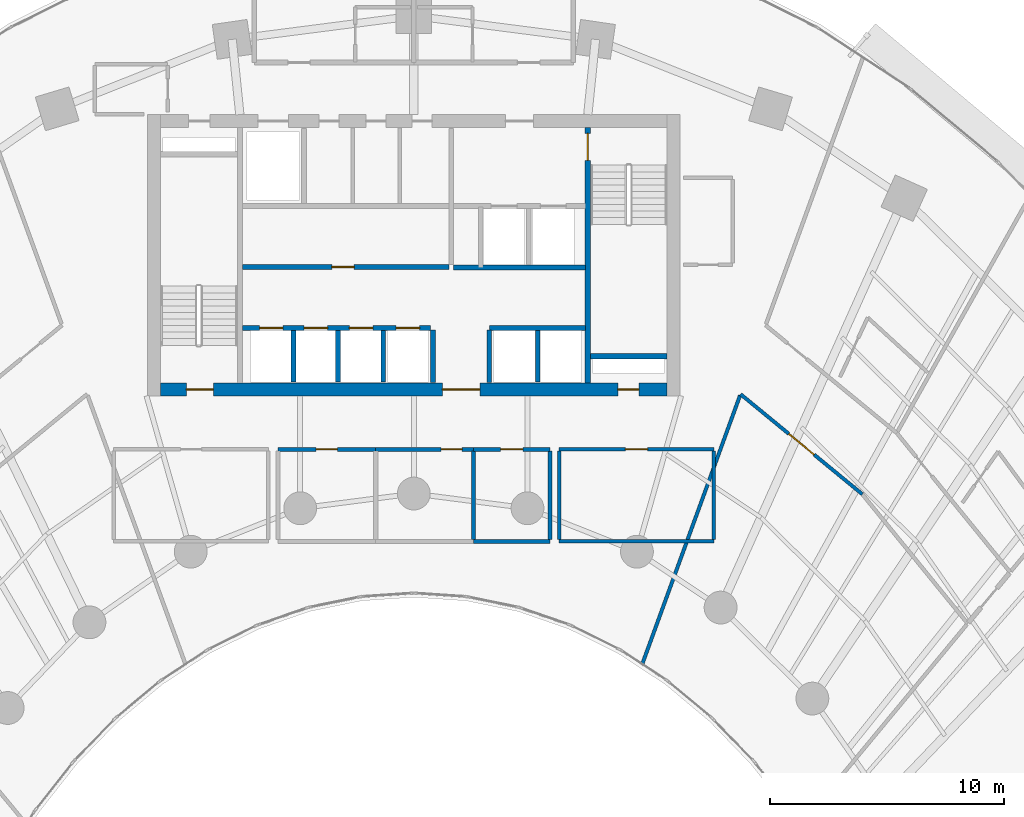
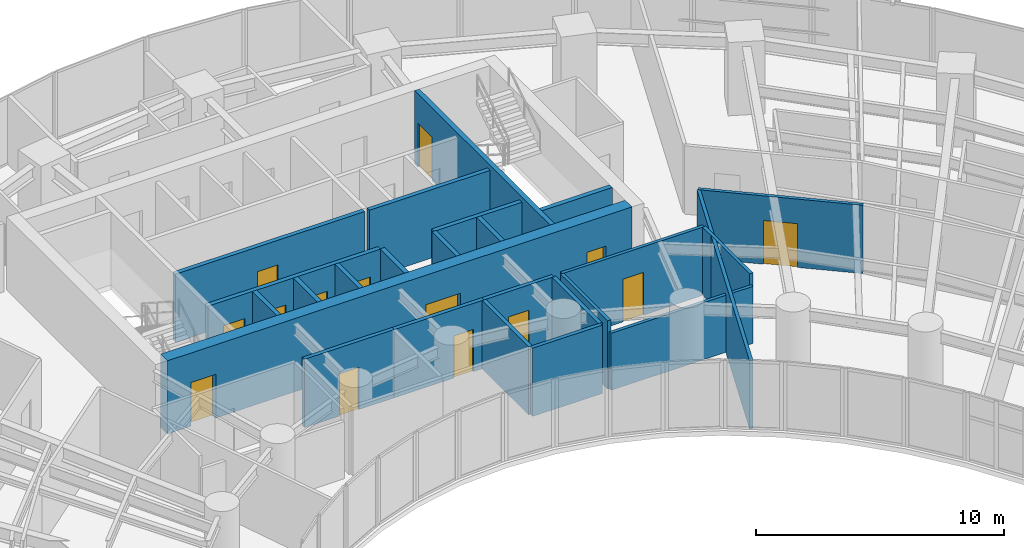
# One storey, part 12 of 17: 25 walls, 14 doors, 14 openings.
"""IFC4 building model written with IfcOpenShell, lengths in metres."""

from ifc_helpers import new_model, si_unit, direction, frame, frame_2d, origin, place, context, subcontext, project, spatial, rectangle, extrude, source, transform, mapped, material, layer, layer_set, type_object, type_shapes, element, fill, save


model = new_model("IFC4")

# Units and contexts
model_context = context("Model", 3, precision=1e-05, world=origin(), true_north=direction((0.0, 1.0)))
body_context = subcontext(model_context, "Body", "Model", "MODEL_VIEW")
ifc_project = project(units=[si_unit("LENGTHUNIT", "METRE"), si_unit("AREAUNIT", "SQUARE_METRE"), si_unit("VOLUMEUNIT", "CUBIC_METRE"), si_unit("PLANEANGLEUNIT", "RADIAN"), si_unit("MASSUNIT", "GRAM", prefix="KILO")], contexts=[model_context])

# Site, building, storey
site_placement = place(None, origin())
site = spatial("IfcSite", under=ifc_project, at=site_placement, CompositionType="ELEMENT")
building_placement = place(site_placement, origin())
building = spatial("IfcBuilding", under=site, at=building_placement, Name="Breltana Convention Tower", CompositionType="ELEMENT")
storey_placement = place(building_placement, frame((0.0, 0.0, 53.39990234375)))
storey = spatial("IfcBuildingStorey", under=building, at=storey_placement, Name="L11", CompositionType="ELEMENT", Elevation=53.39990234375)

# Wall, openings, doors
ifc_material_1 = material(Name="Concrete C60/75", Category="concrete")
ifc_layer_1 = layer(ifc_material_1, 0.550048828125, Name="Concrete C60/75")
ifc_layer_set_1 = layer_set([ifc_layer_1], Name="Concrete C60/75")
wall_type_1 = type_object("IfcWallType", Name="SW-CORE-550", PredefinedType="SHEAR", material=ifc_layer_set_1)
shared_shape_1 = source(origin(), body_context, "Body", "SweptSolid", [
    extrude(rectangle(XDim=21.60009765625, YDim=0.550048828125, at=frame_2d((10.800048828125, 0.0))), origin(), (0.0, 0.0, 1.0), 3.60009765625),
])
wall_1_placement = place(storey_placement, frame((37.199951171875, 60.47509765625, 0.0), z_axis=(0.0, 0.0, 1.0), x_axis=(1.0, 0.0, 0.0)))
wall_1 = element("IfcWall", 1, at=wall_1_placement, inside=storey, type_object=wall_type_1, Name="L11 South Core Shear Wall", PredefinedType="SHEAR", context=body_context, shape_type="MappedRepresentation", body=[
    mapped(shared_shape_1, transform((0.0, 0.0, 0.0), scale=1.0)),
])
opening_1_placement = place(wall_1_placement, frame((1.10009765625, 0.0, 0.0)))
opening_1 = element("IfcOpeningElement", 2, at=opening_1_placement, cuts=wall_1, Name="Opening D-11", PredefinedType="OPENING", context=body_context, shape_type="SweptSolid", body=[
    extrude(rectangle(XDim=1.14990234375, YDim=2.14990234375, at=frame_2d((0.574951171875, 1.074951171875))), frame((0.0, 0.28515625, 0.0), z_axis=(0.0, -1.0, 0.0), x_axis=(1.0, 0.0, 0.0)), (0.0, 0.0, 1.0), 0.570068359375),
])
opening_2_placement = place(wall_1_placement, frame((19.5, 0.0, 0.0)))
opening_2 = element("IfcOpeningElement", 3, at=opening_2_placement, cuts=wall_1, Name="Opening D-18", PredefinedType="OPENING", context=body_context, shape_type="SweptSolid", body=[
    extrude(rectangle(XDim=0.89990234375, YDim=2.10009765625, at=frame_2d((0.449951171875, 1.050048828125))), frame((0.0, 0.28515625, 0.0), z_axis=(0.0, -1.0, 0.0), x_axis=(1.0, 0.0, 0.0)), (0.0, 0.0, 1.0), 0.570068359375),
])
opening_3_placement = place(wall_1_placement, frame((12.02001953125, 0.0, 0.0)))
opening_3 = element("IfcOpeningElement", 4, at=opening_3_placement, cuts=wall_1, Name="Opening D-02", PredefinedType="OPENING", context=body_context, shape_type="SweptSolid", body=[
    extrude(rectangle(XDim=1.60009765625, YDim=2.14990234375, at=frame_2d((0.800048828125, 1.074951171875))), frame((0.0, 0.28515625, 0.0), z_axis=(0.0, -1.0, 0.0), x_axis=(1.0, 0.0, 0.0)), (0.0, 0.0, 1.0), 0.570068359375),
])
ifc_material_2 = material(Name="Steel Stair Exit Door", Category="steel")
door_type_1 = type_object("IfcDoorType", Name="DR-FD120-1150", OperationType="NOTDEFINED", PredefinedType="DOOR", material=ifc_material_2)
shared_shape_2 = source(origin(), body_context, "Body", "SweptSolid", [
    extrude(rectangle(XDim=1.14990234375, YDim=2.14990234375, at=frame_2d((0.574951171875, 1.074951171875))), frame((0.0, 0.02490234375, 0.0), z_axis=(0.0, -1.0, 0.0), x_axis=(1.0, 0.0, 0.0)), (0.0, 0.0, 1.0), 0.050048828125),
])
type_shapes(door_type_1, [shared_shape_2])
door_1_placement = place(opening_1_placement, origin())
door_1 = element("IfcDoor", 5, at=door_1_placement, inside=storey, type_object=door_type_1, Name="L11 interior door D-L11-ST1", OperationType="SINGLE_SWING_LEFT", OverallHeight=2.14990234375, OverallWidth=1.14990234375, PredefinedType="DOOR", context=body_context, shape_type="MappedRepresentation", body=[
    mapped(shared_shape_2, transform((0.0, 0.0, 0.0), scale=1.0)),
])
fill(opening_1, door_1)
ifc_material_3 = material(Name="Steel Riser Fire Door", Category="steel")
door_type_2 = type_object("IfcDoorType", Name="DR-FD60-900", OperationType="NOTDEFINED", PredefinedType="DOOR", material=ifc_material_3)
shared_shape_3 = source(origin(), body_context, "Body", "SweptSolid", [
    extrude(rectangle(XDim=0.89990234375, YDim=2.10009765625, at=frame_2d((0.449951171875, 1.050048828125))), frame((0.0, 0.02490234375, 0.0), z_axis=(0.0, -1.0, 0.0), x_axis=(1.0, 0.0, 0.0)), (0.0, 0.0, 1.0), 0.050048828125),
])
type_shapes(door_type_2, [shared_shape_3])
door_2_placement = place(opening_2_placement, origin())
door_2 = element("IfcDoor", 6, at=door_2_placement, inside=storey, type_object=door_type_2, Name="L11 Core Riser Access Door D-L11-RS2", OperationType="SINGLE_SWING_RIGHT", OverallHeight=2.10009765625, OverallWidth=0.89990234375, PredefinedType="DOOR", context=body_context, shape_type="MappedRepresentation", body=[
    mapped(shared_shape_3, transform((0.0, 0.0, 0.0), scale=1.0)),
])
fill(opening_2, door_2)
ifc_material_4 = material(Name="Steel Glazed Smoke-Control Door", Category="steel")
door_type_3 = type_object("IfcDoorType", Name="DR-DBL-FD90-1600", OperationType="DOUBLE_DOOR_SINGLE_SWING", PredefinedType="DOOR", material=ifc_material_4)
shared_shape_4 = source(origin(), body_context, "Body", "SweptSolid", [
    extrude(rectangle(XDim=1.60009765625, YDim=2.14990234375, at=frame_2d((0.800048828125, 1.074951171875))), frame((0.0, 0.02490234375, 0.0), z_axis=(0.0, -1.0, 0.0), x_axis=(1.0, 0.0, 0.0)), (0.0, 0.0, 1.0), 0.050048828125),
])
type_shapes(door_type_3, [shared_shape_4])
door_3_placement = place(opening_3_placement, origin())
door_3 = element("IfcDoor", 7, at=door_3_placement, inside=storey, type_object=door_type_3, Name="L11 interior door D-L11-LLB-S", OperationType="DOUBLE_DOOR_SINGLE_SWING", OverallHeight=2.14990234375, OverallWidth=1.60009765625, PredefinedType="DOOR", context=body_context, shape_type="MappedRepresentation", body=[
    mapped(shared_shape_4, transform((0.0, 0.0, 0.0), scale=1.0)),
])
fill(opening_3, door_3)

# Wall
ifc_material_5 = material(Name="Concrete C50/60", Category="concrete")
ifc_layer_2 = layer(ifc_material_5, 0.39990234375, Name="Concrete C50/60")
ifc_layer_set_2 = layer_set([ifc_layer_2], Name="Concrete C50/60")
wall_type_2 = type_object("IfcWallType", Name="SW-CORE-400", PredefinedType="SHEAR", material=ifc_layer_set_2)
shared_shape_5 = source(origin(), body_context, "Body", "SweptSolid", [
    extrude(rectangle(XDim=3.27001953125, YDim=0.219970703125, at=frame_2d((1.635009765625, 0.0))), origin(), (0.0, 0.0, 1.0), 3.60009765625),
])
wall_2_placement = place(storey_placement, frame((55.530029296875, 61.889892578125, 0.0), z_axis=(0.0, 0.0, 1.0), x_axis=(1.0, 0.0, 0.0)))
element("IfcWall", 8, at=wall_2_placement, inside=storey, type_object=wall_type_2, Name="L11 ST-2 Stairwell South Bearing Wall", PredefinedType="SHEAR", context=body_context, shape_type="MappedRepresentation", body=[
    mapped(shared_shape_5, transform((0.0, 0.0, 0.0), scale=1.0)),
])

# Wall, opening, door
shared_shape_6 = source(origin(), body_context, "Body", "SweptSolid", [
    extrude(rectangle(XDim=10.89990234375, YDim=0.219970703125, at=frame_2d((5.449951171875, 0.0))), origin(), (0.0, 0.0, 1.0), 3.60009765625),
])
wall_3_placement = place(storey_placement, frame((55.419921875, 60.75, 0.0), z_axis=(0.0, 0.0, 1.0), x_axis=(0.0, 1.0, 0.0)))
wall_3 = element("IfcWall", 9, at=wall_3_placement, inside=storey, type_object=wall_type_2, Name="L11 Core East Stair Spine Wall", PredefinedType="SHEAR", context=body_context, shape_type="MappedRepresentation", body=[
    mapped(shared_shape_6, transform((0.0, 0.0, 0.0), scale=1.0)),
])
opening_4_placement = place(wall_3_placement, frame((9.4951171875, 0.0, 0.0)))
opening_4 = element("IfcOpeningElement", 10, at=opening_4_placement, cuts=wall_3, Name="Opening D-11", PredefinedType="OPENING", context=body_context, shape_type="SweptSolid", body=[
    extrude(rectangle(XDim=1.14990234375, YDim=2.14990234375, at=frame_2d((0.574951171875, 1.074951171875))), frame((0.0, 0.1201171875, 0.0), z_axis=(0.0, -1.0, 0.0), x_axis=(1.0, 0.0, 0.0)), (0.0, 0.0, 1.0), 0.239990234375),
])
door_4_placement = place(opening_4_placement, origin())
door_4 = element("IfcDoor", 11, at=door_4_placement, inside=storey, type_object=door_type_1, Name="L11 interior door D-L11-ST2", OperationType="SINGLE_SWING_LEFT", OverallHeight=2.14990234375, OverallWidth=1.14990234375, PredefinedType="DOOR", context=body_context, shape_type="MappedRepresentation", body=[
    mapped(shared_shape_2, transform((0.0, 0.0, 0.0), scale=1.0)),
])
fill(opening_4, door_4)

# Walls
ifc_material_6 = material(Name="Autoclaved Aerated Concrete Block", Category="concrete")
ifc_layer_3 = layer(ifc_material_6, 0.199951171875, Name="Autoclaved Aerated Concrete Block")
ifc_layer_set_3 = layer_set([ifc_layer_3], Name="Autoclaved Aerated Concrete Block")
wall_type_3 = type_object("IfcWallType", Name="WL-SHAFT-200", PredefinedType="SOLIDWALL", material=ifc_layer_set_3)
shared_shape_7 = source(origin(), body_context, "Body", "SweptSolid", [
    extrude(rectangle(XDim=2.239990234375, YDim=0.199951171875, at=frame_2d((1.1201171875, 0.0))), origin(), (0.0, 0.0, 1.0), 3.360107421875),
])
for number, where, z_axis, x_axis, name in (
    (12, (48.820068359375, 60.780029296875, 0.0), (0.0, 0.0, 1.0), (0.0, 1.0, 0.0), "L11 interior partition W-L11-PORT-W"),
    (13, (51.219970703125, 60.780029296875, 0.0), (0.0, 0.0, 1.0), (0.0, 1.0, 0.0), "L11 interior partition W-L11-PORT-E"),
):
    element("IfcWall", number, at=place(storey_placement, frame(where, z_axis=z_axis, x_axis=x_axis)), inside=storey, type_object=wall_type_3, Name=name, PredefinedType="SOLIDWALL", context=body_context, shape_type="MappedRepresentation", body=[
        mapped(shared_shape_7, transform((0.0, 0.0, 0.0), scale=1.0)),
    ])
shared_shape_8 = source(origin(), body_context, "Body", "SweptSolid", [
    extrude(rectangle(XDim=5.6201171875, YDim=0.199951171875, at=frame_2d((2.81005859375, 0.0))), origin(), (0.0, 0.0, 1.0), 3.360107421875),
])
wall_4_placement = place(storey_placement, frame((49.699951171875, 65.679931640625, 0.0), z_axis=(0.0, 0.0, 1.0), x_axis=(1.0, 0.0, 0.0)))
element("IfcWall", 14, at=wall_4_placement, inside=storey, type_object=wall_type_3, Name="L11 interior partition W-L11-FL-S", PredefinedType="SOLIDWALL", context=body_context, shape_type="MappedRepresentation", body=[
    mapped(shared_shape_8, transform((0.0, 0.0, 0.0), scale=1.0)),
])

# Wall, opening, door
shared_shape_9 = source(origin(), body_context, "Body", "SweptSolid", [
    extrude(rectangle(XDim=8.800048828125, YDim=0.199951171875, at=frame_2d((4.39990234375, 0.0))), origin(), (0.0, 0.0, 1.0), 3.360107421875),
])
wall_5_placement = place(storey_placement, frame((40.699951171875, 65.699951171875, 0.0), z_axis=(0.0, 0.0, 1.0), x_axis=(1.0, 0.0, 0.0)))
wall_5 = element("IfcWall", 15, at=wall_5_placement, inside=storey, type_object=wall_type_3, Name="L11 interior partition W-L11-SH-M-FRONT", PredefinedType="SOLIDWALL", context=body_context, shape_type="MappedRepresentation", body=[
    mapped(shared_shape_9, transform((0.0, 0.0, 0.0), scale=1.0)),
])
opening_5_placement = place(wall_5_placement, frame((3.800048828125, 0.0, 0.0)))
opening_5 = element("IfcOpeningElement", 16, at=opening_5_placement, cuts=wall_5, Name="Opening D-14", PredefinedType="OPENING", context=body_context, shape_type="SweptSolid", body=[
    extrude(rectangle(XDim=0.949951171875, YDim=2.14990234375, at=frame_2d((0.47509765625, 1.074951171875))), frame((0.0, 0.10986328125, 0.0), z_axis=(0.0, -1.0, 0.0), x_axis=(1.0, 0.0, 0.0)), (0.0, 0.0, 1.0), 0.219970703125),
])
ifc_material_7 = material(Name="Timber Solid-Core Fire Door", Category="wood")
door_type_4 = type_object("IfcDoorType", Name="DR-FD60-950", OperationType="NOTDEFINED", PredefinedType="DOOR", material=ifc_material_7)
shared_shape_10 = source(origin(), body_context, "Body", "SweptSolid", [
    extrude(rectangle(XDim=0.949951171875, YDim=2.14990234375, at=frame_2d((0.47509765625, 1.074951171875))), frame((0.0, 0.02490234375, 0.0), z_axis=(0.0, -1.0, 0.0), x_axis=(1.0, 0.0, 0.0)), (0.0, 0.0, 1.0), 0.050048828125),
])
type_shapes(door_type_4, [shared_shape_10])
door_5_placement = place(opening_5_placement, origin())
door_5 = element("IfcDoor", 17, at=door_5_placement, inside=storey, type_object=door_type_4, Name="L11 interior door D-L11-LV7-B2A", OperationType="SINGLE_SWING_RIGHT", OverallHeight=2.14990234375, OverallWidth=0.949951171875, PredefinedType="DOOR", context=body_context, shape_type="MappedRepresentation", body=[
    mapped(shared_shape_10, transform((0.0, 0.0, 0.0), scale=1.0)),
])
fill(opening_5, door_5)

# Wall, openings, doors
shared_shape_11 = source(origin(), body_context, "Body", "SweptSolid", [
    extrude(rectangle(XDim=8.02001953125, YDim=0.199951171875, at=frame_2d((4.010009765625, 0.0))), origin(), (0.0, 0.0, 1.0), 3.360107421875),
])
wall_6_placement = place(storey_placement, frame((40.699951171875, 63.10009765625, 0.0), z_axis=(0.0, 0.0, 1.0), x_axis=(1.0, 0.0, 0.0)))
wall_6 = element("IfcWall", 18, at=wall_6_placement, inside=storey, type_object=wall_type_3, Name="L11 interior partition W-L11-SH-S-FRONT", PredefinedType="SOLIDWALL", context=body_context, shape_type="MappedRepresentation", body=[
    mapped(shared_shape_11, transform((0.0, 0.0, 0.0), scale=1.0)),
])
opening_6_placement = place(wall_6_placement, frame((0.719970703125, 0.0, 0.0)))
opening_6 = element("IfcOpeningElement", 19, at=opening_6_placement, cuts=wall_6, Name="Opening LD-04", PredefinedType="OPENING", context=body_context, shape_type="SweptSolid", body=[
    extrude(rectangle(XDim=1.0, YDim=2.14990234375, at=frame_2d((0.5, 1.074951171875))), frame((0.0, 0.10986328125, 0.0), z_axis=(0.0, -1.0, 0.0), x_axis=(1.0, 0.0, 0.0)), (0.0, 0.0, 1.0), 0.219970703125),
])
opening_7_placement = place(wall_6_placement, frame((2.6201171875, 0.0, 0.0)))
opening_7 = element("IfcOpeningElement", 20, at=opening_7_placement, cuts=wall_6, Name="Opening LD-04", PredefinedType="OPENING", context=body_context, shape_type="SweptSolid", body=[
    extrude(rectangle(XDim=1.0, YDim=2.14990234375, at=frame_2d((0.5, 1.074951171875))), frame((0.0, 0.10986328125, 0.0), z_axis=(0.0, -1.0, 0.0), x_axis=(1.0, 0.0, 0.0)), (0.0, 0.0, 1.0), 0.219970703125),
])
opening_8_placement = place(wall_6_placement, frame((4.550048828125, 0.0, 0.0)))
opening_8 = element("IfcOpeningElement", 21, at=opening_8_placement, cuts=wall_6, Name="Opening LD-04", PredefinedType="OPENING", context=body_context, shape_type="SweptSolid", body=[
    extrude(rectangle(XDim=1.0, YDim=2.14990234375, at=frame_2d((0.5, 1.074951171875))), frame((0.0, 0.10986328125, 0.0), z_axis=(0.0, -1.0, 0.0), x_axis=(1.0, 0.0, 0.0)), (0.0, 0.0, 1.0), 0.219970703125),
])
opening_9_placement = place(wall_6_placement, frame((6.550048828125, 0.0, 0.0)))
opening_9 = element("IfcOpeningElement", 22, at=opening_9_placement, cuts=wall_6, Name="Opening LD-04", PredefinedType="OPENING", context=body_context, shape_type="SweptSolid", body=[
    extrude(rectangle(XDim=1.0, YDim=2.14990234375, at=frame_2d((0.5, 1.074951171875))), frame((0.0, 0.10986328125, 0.0), z_axis=(0.0, -1.0, 0.0), x_axis=(1.0, 0.0, 0.0)), (0.0, 0.0, 1.0), 0.219970703125),
])
ifc_material_8 = material(Name="Stainless Steel Brushed", Category="steel")
door_type_5 = type_object("IfcDoorType", Name="DR-LD-PAX-1000", OperationType="DOUBLE_DOOR_SLIDING", PredefinedType="DOOR", material=ifc_material_8)
shared_shape_12 = source(origin(), body_context, "Body", "SweptSolid", [
    extrude(rectangle(XDim=1.0, YDim=2.14990234375, at=frame_2d((0.5, 1.074951171875))), frame((0.0, 0.02490234375, 0.0), z_axis=(0.0, -1.0, 0.0), x_axis=(1.0, 0.0, 0.0)), (0.0, 0.0, 1.0), 0.050048828125),
])
type_shapes(door_type_5, [shared_shape_12])
door_6_placement = place(opening_6_placement, origin())
door_6 = element("IfcDoor", 23, at=door_6_placement, inside=storey, type_object=door_type_5, Name="L11 Lift Landing Door D-L11-LD-S1", OperationType="DOUBLE_DOOR_SLIDING", OverallHeight=2.14990234375, OverallWidth=1.0, PredefinedType="DOOR", context=body_context, shape_type="MappedRepresentation", body=[
    mapped(shared_shape_12, transform((0.0, 0.0, 0.0), scale=1.0)),
])
fill(opening_6, door_6)
door_7_placement = place(opening_7_placement, origin())
door_7 = element("IfcDoor", 24, at=door_7_placement, inside=storey, type_object=door_type_5, Name="L11 Lift Landing Door D-L11-LD-S2", OperationType="DOUBLE_DOOR_SLIDING", OverallHeight=2.14990234375, OverallWidth=1.0, PredefinedType="DOOR", context=body_context, shape_type="MappedRepresentation", body=[
    mapped(shared_shape_12, transform((0.0, 0.0, 0.0), scale=1.0)),
])
fill(opening_7, door_7)
door_8_placement = place(opening_8_placement, origin())
door_8 = element("IfcDoor", 25, at=door_8_placement, inside=storey, type_object=door_type_5, Name="L11 Lift Landing Door D-L11-LD-S3", OperationType="DOUBLE_DOOR_SLIDING", OverallHeight=2.14990234375, OverallWidth=1.0, PredefinedType="DOOR", context=body_context, shape_type="MappedRepresentation", body=[
    mapped(shared_shape_12, transform((0.0, 0.0, 0.0), scale=1.0)),
])
fill(opening_8, door_8)
door_9_placement = place(opening_9_placement, origin())
door_9 = element("IfcDoor", 26, at=door_9_placement, inside=storey, type_object=door_type_5, Name="L11 Lift Landing Door D-L11-LD-S4", OperationType="DOUBLE_DOOR_SLIDING", OverallHeight=2.14990234375, OverallWidth=1.0, PredefinedType="DOOR", context=body_context, shape_type="MappedRepresentation", body=[
    mapped(shared_shape_12, transform((0.0, 0.0, 0.0), scale=1.0)),
])
fill(opening_9, door_9)

# Walls
shared_shape_13 = source(origin(), body_context, "Body", "SweptSolid", [
    extrude(rectangle(XDim=4.10009765625, YDim=0.199951171875, at=frame_2d((2.050048828125, 0.0))), origin(), (0.0, 0.0, 1.0), 3.360107421875),
])
wall_7_placement = place(storey_placement, frame((51.219970703125, 63.10009765625, 0.0), z_axis=(0.0, 0.0, 1.0), x_axis=(1.0, 0.0, 0.0)))
element("IfcWall", 27, at=wall_7_placement, inside=storey, type_object=wall_type_3, Name="L11 interior partition W-L11-SH-X-FRONT", PredefinedType="SOLIDWALL", context=body_context, shape_type="MappedRepresentation", body=[
    mapped(shared_shape_13, transform((0.0, 0.0, 0.0), scale=1.0)),
])
shared_shape_14 = source(origin(), body_context, "Body", "SweptSolid", [
    extrude(rectangle(XDim=2.199951171875, YDim=0.199951171875, at=frame_2d((1.10009765625, 0.0))), origin(), (0.0, 0.0, 1.0), 3.360107421875),
])
for number, where, z_axis, x_axis, name in (
    (28, (42.8701171875, 60.800048828125, 0.0), (0.0, 0.0, 1.0), (0.0, 1.0, 0.0), "L11 interior partition W-L11-SH-S-DIV1"),
    (29, (44.77001953125, 60.800048828125, 0.0), (0.0, 0.0, 1.0), (0.0, 1.0, 0.0), "L11 interior partition W-L11-SH-S-DIV2"),
    (30, (46.699951171875, 60.800048828125, 0.0), (0.0, 0.0, 1.0), (0.0, 1.0, 0.0), "L11 interior partition W-L11-SH-S-DIV3"),
    (31, (53.280029296875, 60.800048828125, 0.0), (0.0, 0.0, 1.0), (0.0, 1.0, 0.0), "L11 interior partition W-L11-SH-X-DIV"),
):
    element("IfcWall", number, at=place(storey_placement, frame(where, z_axis=z_axis, x_axis=x_axis)), inside=storey, type_object=wall_type_3, Name=name, PredefinedType="SOLIDWALL", context=body_context, shape_type="MappedRepresentation", body=[
        mapped(shared_shape_14, transform((0.0, 0.0, 0.0), scale=1.0)),
    ])
ifc_material_9 = material(Name="Gypsum Acoustic Drywall Partition")
ifc_layer_4 = layer(ifc_material_9, 0.14990234375, Name="Gypsum Acoustic Drywall Partition")
ifc_layer_set_4 = layer_set([ifc_layer_4], Name="Gypsum Acoustic Drywall Partition")
wall_type_4 = type_object("IfcWallType", Name="WL-PART-150", PredefinedType="PARTITIONING", material=ifc_layer_set_4)
shared_shape_15 = source(origin(), body_context, "Body", "SweptSolid", [
    extrude(rectangle(XDim=6.60009765625, YDim=0.14990234375, at=frame_2d((3.300048828125, 0.0))), origin(), (0.0, 0.0, 1.0), 2.802978515625),
])
wall_8_placement = place(storey_placement, frame((54.199951171875, 54.0, 0.0), z_axis=(0.0, 0.0, 1.0), x_axis=(1.0, 0.0, 0.0)))
element("IfcWall", 32, at=wall_8_placement, inside=storey, type_object=wall_type_4, Name="L11 interior partition W-L11-HMT-S", PredefinedType="PARTITIONING", context=body_context, shape_type="MappedRepresentation", body=[
    mapped(shared_shape_15, transform((0.0, 0.0, 0.0), scale=1.0)),
])

# Wall, opening, door
shared_shape_16 = source(origin(), body_context, "Body", "SweptSolid", [
    extrude(rectangle(XDim=6.60009765625, YDim=0.14990234375, at=frame_2d((3.300048828125, 0.0))), origin(), (0.0, 0.0, 1.0), 3.360107421875),
])
wall_9_placement = place(storey_placement, frame((54.199951171875, 57.919921875, 0.0), z_axis=(0.0, 0.0, 1.0), x_axis=(1.0, 0.0, 0.0)))
wall_9 = element("IfcWall", 33, at=wall_9_placement, inside=storey, type_object=wall_type_4, Name="L11 interior partition W-L11-HMT-N", PredefinedType="PARTITIONING", context=body_context, shape_type="MappedRepresentation", body=[
    mapped(shared_shape_16, transform((0.0, 0.0, 0.0), scale=1.0)),
])
opening_10_placement = place(wall_9_placement, frame((2.824951171875, 0.0, 0.0)))
opening_10 = element("IfcOpeningElement", 34, at=opening_10_placement, cuts=wall_9, Name="Opening D-17", PredefinedType="OPENING", context=body_context, shape_type="SweptSolid", body=[
    extrude(rectangle(XDim=0.949951171875, YDim=2.10009765625, at=frame_2d((0.47509765625, 1.050048828125))), frame((0.0, 0.0849609375, 0.0), z_axis=(0.0, -1.0, 0.0), x_axis=(1.0, 0.0, 0.0)), (0.0, 0.0, 1.0), 0.169921875),
])
ifc_material_10 = material(Name="Timber Oak Veneer Door", Category="wood")
door_type_6 = type_object("IfcDoorType", Name="DR-INT-950", OperationType="NOTDEFINED", PredefinedType="DOOR", material=ifc_material_10)
shared_shape_17 = source(origin(), body_context, "Body", "SweptSolid", [
    extrude(rectangle(XDim=0.949951171875, YDim=2.10009765625, at=frame_2d((0.47509765625, 1.050048828125))), frame((0.0, 0.02490234375, 0.0), z_axis=(0.0, -1.0, 0.0), x_axis=(1.0, 0.0, 0.0)), (0.0, 0.0, 1.0), 0.050048828125),
])
type_shapes(door_type_6, [shared_shape_17])
door_10_placement = place(opening_10_placement, origin())
door_10 = element("IfcDoor", 35, at=door_10_placement, inside=storey, type_object=door_type_6, Name="L11 interior door D-L11-HMT", OperationType="SINGLE_SWING_LEFT", OverallHeight=2.10009765625, OverallWidth=0.949951171875, PredefinedType="DOOR", context=body_context, shape_type="MappedRepresentation", body=[
    mapped(shared_shape_17, transform((0.0, 0.0, 0.0), scale=1.0)),
])
fill(opening_10, door_10)

# Walls
shared_shape_18 = source(origin(), body_context, "Body", "SweptSolid", [
    extrude(rectangle(XDim=3.78515625, YDim=0.14990234375, at=frame_2d((1.892578125, 0.0))), origin(), (0.0, 0.0, 1.0), 3.360107421875),
])
for number, where, z_axis, x_axis, name in (
    (36, (54.199951171875, 54.0673828125, 0.0), (0.0, 0.0, 1.0), (0.0, 1.0, 0.0), "L11 interior partition W-L11-HMT-W"),
    (37, (60.800048828125, 54.0673828125, 0.0), (0.0, 0.0, 1.0), (0.0, 1.0, 0.0), "L11 interior partition W-L11-HMT-E"),
):
    element("IfcWall", number, at=place(storey_placement, frame(where, z_axis=z_axis, x_axis=x_axis)), inside=storey, type_object=wall_type_4, Name=name, PredefinedType="PARTITIONING", context=body_context, shape_type="MappedRepresentation", body=[
        mapped(shared_shape_18, transform((0.0, 0.0, 0.0), scale=1.0)),
    ])

# Wall, opening, door
ifc_material_11 = material(Name="Moisture-Resistant Gypsum Chase Wall")
ifc_layer_5 = layer(ifc_material_11, 0.179931640625, Name="Moisture-Resistant Gypsum Chase Wall")
ifc_layer_set_5 = layer_set([ifc_layer_5], Name="Moisture-Resistant Gypsum Chase Wall")
wall_type_5 = type_object("IfcWallType", Name="WL-PLUMB-180", PredefinedType="PLUMBINGWALL", material=ifc_layer_set_5)
shared_shape_19 = source(origin(), body_context, "Body", "SweptSolid", [
    extrude(rectangle(XDim=4.176025390625, YDim=0.179931640625, at=frame_2d((2.087890625, 0.0))), origin(), (0.0, 0.0, 1.0), 3.360107421875),
])
wall_10_placement = place(storey_placement, frame((42.199951171875, 57.919921875, 0.0), z_axis=(0.0, 0.0, 1.0), x_axis=(1.0, 0.0, 0.0)))
wall_10 = element("IfcWall", 38, at=wall_10_placement, inside=storey, type_object=wall_type_5, Name="L11 interior partition W-L11-WCM-N", PredefinedType="PLUMBINGWALL", context=body_context, shape_type="MappedRepresentation", body=[
    mapped(shared_shape_19, transform((0.0, 0.0, 0.0), scale=1.0)),
])
opening_11_placement = place(wall_10_placement, frame((1.637939453125, 0.0, 0.0)))
opening_11 = element("IfcOpeningElement", 39, at=opening_11_placement, cuts=wall_10, Name="Opening D-19", PredefinedType="OPENING", context=body_context, shape_type="SweptSolid", body=[
    extrude(rectangle(XDim=0.89990234375, YDim=2.080078125, at=frame_2d((0.449951171875, 1.0400390625))), frame((0.0, 0.10009765625, 0.0), z_axis=(0.0, -1.0, 0.0), x_axis=(1.0, 0.0, 0.0)), (0.0, 0.0, 1.0), 0.199951171875),
])
ifc_material_12 = material(Name="Timber Moisture-Resistant Door", Category="wood")
door_type_7 = type_object("IfcDoorType", Name="DR-WC-900", OperationType="NOTDEFINED", PredefinedType="DOOR", material=ifc_material_12)
shared_shape_20 = source(origin(), body_context, "Body", "SweptSolid", [
    extrude(rectangle(XDim=0.89990234375, YDim=2.080078125, at=frame_2d((0.449951171875, 1.0400390625))), frame((0.0, 0.02490234375, 0.0), z_axis=(0.0, -1.0, 0.0), x_axis=(1.0, 0.0, 0.0)), (0.0, 0.0, 1.0), 0.050048828125),
])
type_shapes(door_type_7, [shared_shape_20])
door_11_placement = place(opening_11_placement, origin())
door_11 = element("IfcDoor", 40, at=door_11_placement, inside=storey, type_object=door_type_7, Name="L11 interior door D-L11-WCM", OperationType="SINGLE_SWING_RIGHT", OverallHeight=2.080078125, OverallWidth=0.89990234375, PredefinedType="DOOR", context=body_context, shape_type="MappedRepresentation", body=[
    mapped(shared_shape_20, transform((0.0, 0.0, 0.0), scale=1.0)),
])
fill(opening_11, door_11)

wall_11_placement = place(storey_placement, frame((46.3759765625, 57.919921875, 0.0), z_axis=(0.0, 0.0, 1.0), x_axis=(1.0, 0.0, 0.0)))
wall_11 = element("IfcWall", 41, at=wall_11_placement, inside=storey, type_object=wall_type_5, Name="L11 interior partition W-L11-WCF-N", PredefinedType="PLUMBINGWALL", context=body_context, shape_type="MappedRepresentation", body=[
    mapped(shared_shape_19, transform((0.0, 0.0, 0.0), scale=1.0)),
])
opening_12_placement = place(wall_11_placement, frame((2.7880859375, 0.0, 0.0)))
opening_12 = element("IfcOpeningElement", 42, at=opening_12_placement, cuts=wall_11, Name="Opening D-19", PredefinedType="OPENING", context=body_context, shape_type="SweptSolid", body=[
    extrude(rectangle(XDim=0.89990234375, YDim=2.080078125, at=frame_2d((0.449951171875, 1.0400390625))), frame((0.0, 0.10009765625, 0.0), z_axis=(0.0, -1.0, 0.0), x_axis=(1.0, 0.0, 0.0)), (0.0, 0.0, 1.0), 0.199951171875),
])
door_12_placement = place(opening_12_placement, origin())
door_12 = element("IfcDoor", 43, at=door_12_placement, inside=storey, type_object=door_type_7, Name="L11 interior door D-L11-WCF", OperationType="SINGLE_SWING_LEFT", OverallHeight=2.080078125, OverallWidth=0.89990234375, PredefinedType="DOOR", context=body_context, shape_type="MappedRepresentation", body=[
    mapped(shared_shape_20, transform((0.0, 0.0, 0.0), scale=1.0)),
])
fill(opening_12, door_12)

# Walls
ifc_material_13 = material(Name="Cement Board Wet-Area Partition")
ifc_layer_6 = layer(ifc_material_13, 0.175048828125, Name="Cement Board Wet-Area Partition")
ifc_layer_set_6 = layer_set([ifc_layer_6], Name="Cement Board Wet-Area Partition")
wall_type_6 = type_object("IfcWallType", Name="WL-WET-175", PredefinedType="PARTITIONING", material=ifc_layer_set_6)
shared_shape_21 = source(origin(), body_context, "Body", "SweptSolid", [
    extrude(rectangle(XDim=3.7626953125, YDim=0.175048828125, at=frame_2d((1.88134765625, 0.0))), origin(), (0.0, 0.0, 1.0), 3.360107421875),
])
for number, where, z_axis, x_axis, name in (
    (44, (50.552001953125, 54.07861328125, 0.0), (0.0, 0.0, 1.0), (0.0, 1.0, 0.0), "L11 interior partition W-L11-WCF-E"),
    (45, (53.800048828125, 54.07861328125, 0.0), (0.0, 0.0, 1.0), (0.0, 1.0, 0.0), "L11 interior partition W-L11-WCA-E"),
):
    element("IfcWall", number, at=place(storey_placement, frame(where, z_axis=z_axis, x_axis=x_axis)), inside=storey, type_object=wall_type_6, Name=name, PredefinedType="PARTITIONING", context=body_context, shape_type="MappedRepresentation", body=[
        mapped(shared_shape_21, transform((0.0, 0.0, 0.0), scale=1.0)),
    ])
shared_shape_22 = source(origin(), body_context, "Body", "SweptSolid", [
    extrude(rectangle(XDim=3.248046875, YDim=0.175048828125, at=frame_2d((1.6240234375, 0.0))), origin(), (0.0, 0.0, 1.0), 3.360107421875),
])
wall_12_placement = place(storey_placement, frame((50.552001953125, 54.0, 0.0), z_axis=(0.0, 0.0, 1.0), x_axis=(1.0, 0.0, 0.0)))
element("IfcWall", 46, at=wall_12_placement, inside=storey, type_object=wall_type_6, Name="L11 interior partition W-L11-WCA-S", PredefinedType="PARTITIONING", context=body_context, shape_type="MappedRepresentation", body=[
    mapped(shared_shape_22, transform((0.0, 0.0, 0.0), scale=1.0)),
])

# Wall, opening, door
shared_shape_23 = source(origin(), body_context, "Body", "SweptSolid", [
    extrude(rectangle(XDim=3.248046875, YDim=0.179931640625, at=frame_2d((1.6240234375, 0.0))), origin(), (0.0, 0.0, 1.0), 3.360107421875),
])
wall_13_placement = place(storey_placement, frame((50.552001953125, 57.919921875, 0.0), z_axis=(0.0, 0.0, 1.0), x_axis=(1.0, 0.0, 0.0)))
wall_13 = element("IfcWall", 47, at=wall_13_placement, inside=storey, type_object=wall_type_5, Name="L11 interior partition W-L11-WCA-N", PredefinedType="PLUMBINGWALL", context=body_context, shape_type="MappedRepresentation", body=[
    mapped(shared_shape_23, transform((0.0, 0.0, 0.0), scale=1.0)),
])
opening_13_placement = place(wall_13_placement, frame((1.14892578125, 0.0, 0.0)))
opening_13 = element("IfcOpeningElement", 48, at=opening_13_placement, cuts=wall_13, Name="Opening D-16", PredefinedType="OPENING", context=body_context, shape_type="SweptSolid", body=[
    extrude(rectangle(XDim=0.949951171875, YDim=2.1201171875, at=frame_2d((0.47509765625, 1.06005859375))), frame((0.0, 0.10009765625, 0.0), z_axis=(0.0, -1.0, 0.0), x_axis=(1.0, 0.0, 0.0)), (0.0, 0.0, 1.0), 0.199951171875),
])
ifc_material_14 = material(Name="Timber Laminate Accessible Door", Category="wood")
door_type_8 = type_object("IfcDoorType", Name="DR-ACC-950", OperationType="NOTDEFINED", PredefinedType="DOOR", material=ifc_material_14)
shared_shape_24 = source(origin(), body_context, "Body", "SweptSolid", [
    extrude(rectangle(XDim=0.949951171875, YDim=2.1201171875, at=frame_2d((0.47509765625, 1.06005859375))), frame((0.0, 0.02490234375, 0.0), z_axis=(0.0, -1.0, 0.0), x_axis=(1.0, 0.0, 0.0)), (0.0, 0.0, 1.0), 0.050048828125),
])
type_shapes(door_type_8, [shared_shape_24])
door_13_placement = place(opening_13_placement, origin())
door_13 = element("IfcDoor", 49, at=door_13_placement, inside=storey, type_object=door_type_8, Name="L11 interior door D-L11-WCA", OperationType="SINGLE_SWING_RIGHT", OverallHeight=2.1201171875, OverallWidth=0.949951171875, PredefinedType="DOOR", context=body_context, shape_type="MappedRepresentation", body=[
    mapped(shared_shape_24, transform((0.0, 0.0, 0.0), scale=1.0)),
])
fill(opening_13, door_13)

shared_shape_25 = source(origin(), body_context, "Body", "SweptSolid", [
    extrude(rectangle(XDim=6.72119140625, YDim=0.14990234375, at=frame_2d((3.360595703125, 0.0))), origin(), (0.0, 0.0, 1.0), 3.360107421875),
])
wall_14_placement = place(storey_placement, frame((61.931396484375, 60.275390625, 0.0), z_axis=(0.0, 0.0, 1.0), x_axis=(0.772828051199, -0.63461547671, 0.0)))
wall_14 = element("IfcWall", 50, at=wall_14_placement, inside=storey, type_object=wall_type_4, Name="L11 interior partition W-L11-HCF2-COR1", PredefinedType="PARTITIONING", context=body_context, shape_type="MappedRepresentation", body=[
    mapped(shared_shape_25, transform((0.0, 0.0, 0.0), scale=1.0)),
])
opening_14_placement = place(wall_14_placement, frame((2.660400390625, 0.0, 0.0)))
opening_14 = element("IfcOpeningElement", 51, at=opening_14_placement, cuts=wall_14, Name="Opening D-05", PredefinedType="OPENING", context=body_context, shape_type="SweptSolid", body=[
    extrude(rectangle(XDim=1.39990234375, YDim=2.14990234375, at=frame_2d((0.699951171875, 1.074951171875))), frame((0.0, 0.0849609375, 0.0), z_axis=(0.0, -1.0, 0.0), x_axis=(1.0, 0.0, 0.0)), (0.0, 0.0, 1.0), 0.169921875),
])
ifc_material_15 = material(Name="Timber Veneer Glazed Double Door", Category="wood")
door_type_9 = type_object("IfcDoorType", Name="DR-DBL-1400", OperationType="DOUBLE_DOOR_SINGLE_SWING", PredefinedType="DOOR", material=ifc_material_15)
shared_shape_26 = source(origin(), body_context, "Body", "SweptSolid", [
    extrude(rectangle(XDim=1.39990234375, YDim=2.14990234375, at=frame_2d((0.699951171875, 1.074951171875))), frame((0.0, 0.02490234375, 0.0), z_axis=(0.0, -1.0, 0.0), x_axis=(1.0, 0.0, 0.0)), (0.0, 0.0, 1.0), 0.050048828125),
])
type_shapes(door_type_9, [shared_shape_26])
door_14_placement = place(opening_14_placement, origin())
door_14 = element("IfcDoor", 52, at=door_14_placement, inside=storey, type_object=door_type_9, Name="L11 interior door D-L11-HCF2", OperationType="SINGLE_SWING_LEFT", OverallHeight=2.14990234375, OverallWidth=1.39990234375, PredefinedType="DOOR", context=body_context, shape_type="MappedRepresentation", body=[
    mapped(shared_shape_26, transform((0.0, 0.0, 0.0), scale=1.0)),
])
fill(opening_14, door_14)

# Wall
shared_shape_27 = source(origin(), body_context, "Body", "SweptSolid", [
    extrude(rectangle(XDim=12.1962890625, YDim=0.14990234375, at=frame_2d((6.09814453125, 0.0))), origin(), (0.0, 0.0, 1.0), 3.360107421875),
])
wall_15_placement = place(storey_placement, frame((57.742431640625, 48.766357421875, 0.0), z_axis=(0.0, 0.0, 1.0), x_axis=(0.342022711534, 0.939691686031, 0.0)))
element("IfcWall", 53, at=wall_15_placement, inside=storey, type_object=wall_type_4, Name="L11 interior partition W-L11-HCF2-RA", PredefinedType="PARTITIONING", context=body_context, shape_type="MappedRepresentation", body=[
    mapped(shared_shape_27, transform((0.0, 0.0, 0.0), scale=1.0)),
])

save(model, "model.ifc")
